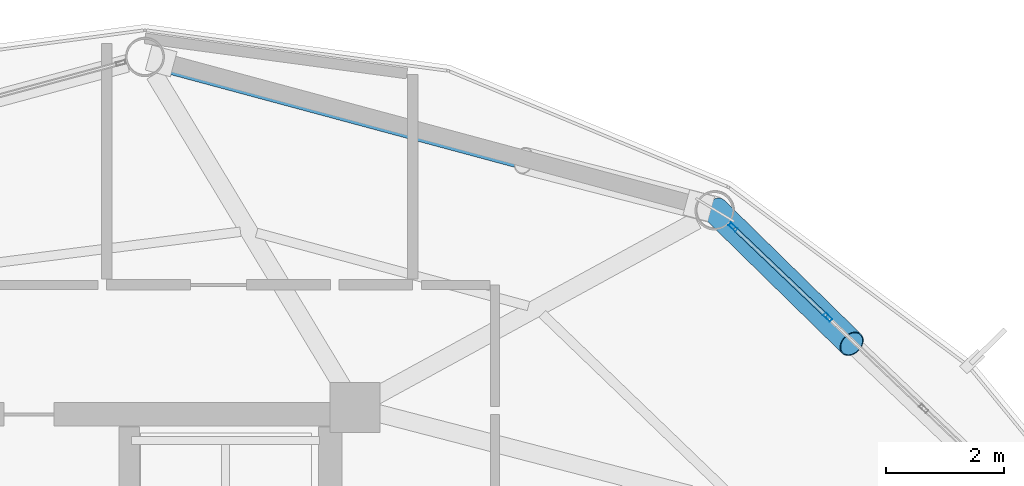
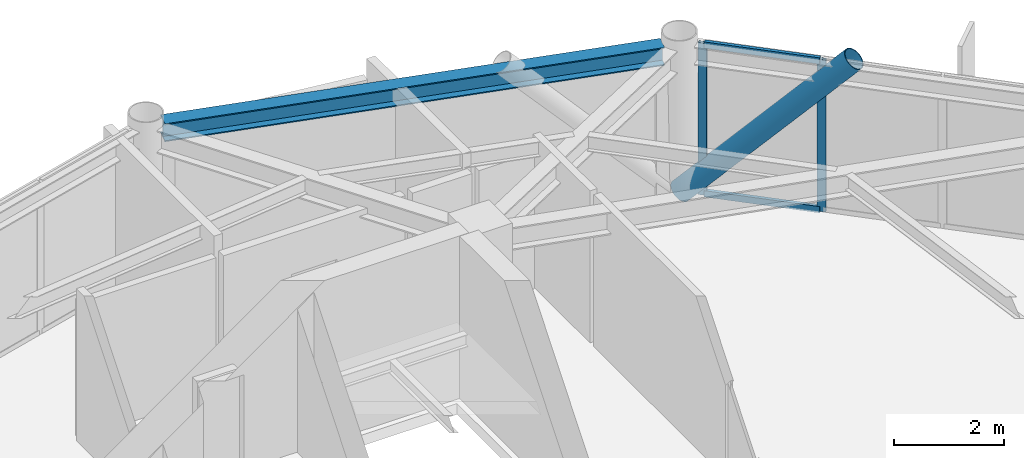
# One storey, part 21 of 28: 5 members, 1 beam, 1 element without a shape of its own.
"""IFC4 building model written with IfcOpenShell, lengths in metres."""

from ifc_helpers import new_model, si_unit, direction, frame, origin, origin_2d, place, context, subcontext, project, spatial, hollow_rectangle, hollow_circle, i_section, extrude, material, layer, layer_set, material_profile, profile_set, type_object, element, aggregate, save


model = new_model("IFC4")

# Units and contexts
model_context = context("Model", 3, precision=1e-05, world=origin(), true_north=direction((0.0, 1.0)))
body_context = subcontext(model_context, "Body", "Model", "MODEL_VIEW")
ifc_project = project(units=[si_unit("LENGTHUNIT", "METRE"), si_unit("AREAUNIT", "SQUARE_METRE"), si_unit("VOLUMEUNIT", "CUBIC_METRE"), si_unit("PLANEANGLEUNIT", "RADIAN"), si_unit("MASSUNIT", "GRAM", prefix="KILO")], contexts=[model_context])

# Site, building, storey
site_placement = place(None, origin())
site = spatial("IfcSite", under=ifc_project, at=site_placement, CompositionType="ELEMENT")
building_placement = place(site_placement, origin())
building = spatial("IfcBuilding", under=site, at=building_placement, Name="Varnakorn Sky Granary", CompositionType="ELEMENT")
storey_placement = place(building_placement, frame((0.0, 0.0, 193.199951171875)))
storey = spatial("IfcBuildingStorey", under=building, at=storey_placement, Name="L48", CompositionType="ELEMENT", Elevation=193.199951171875)

# Beam
ifc_material_1 = material(Name="Steel S355JR", Category="steel")
ifc_material_profile_1 = material_profile(ifc_material_1, i_section(OverallWidth=0.300048828125, OverallDepth=0.39990234375, WebThickness=0.013427734375, FlangeThickness=0.02392578125, at=origin_2d()), Name="HE 400 B")
ifc_profile_set_1 = profile_set([ifc_material_profile_1], Name="Steel S355JR")
beam_type = type_object("IfcBeamType", Name="BM-SPD-Z4", PredefinedType="SPANDREL", material=ifc_profile_set_1)
beam_placement = place(storey_placement, frame((14.200439453125, 16.02734375, 3.16015625), z_axis=(-0.965557364006, 0.260190270405, 0.0), x_axis=(-0.260190270405, -0.965557364006, 0.0)))
element("IfcBeam", 1, at=beam_placement, inside=storey, type_object=beam_type, Name="Perimeter Spandrel Ring Beam RB03 L48", PredefinedType="SPANDREL", context=body_context, shape_type="SweptSolid", body=[
    extrude(i_section(OverallWidth=0.300048828125, OverallDepth=0.39990234375, WebThickness=0.013427734375, FlangeThickness=0.02392578125, at=origin_2d()), origin(), (0.0, 0.0, 1.0), 9.369140625),
])

# Curtain wall, members
ifc_material_2 = material(Name="Anodised Bronze Aluminium Alloy 6063-T6", Category="aluminium")
ifc_layer = layer(ifc_material_2, 0.169921875, Name="Anodised Bronze Aluminium Alloy 6063-T6")
ifc_layer_set = layer_set([ifc_layer], Name="Anodised Bronze Aluminium Alloy 6063-T6")
curtain_wall_type = type_object("IfcCurtainWallType", Name="CW-LAB-1", PredefinedType="USERDEFINED", material=ifc_layer_set)
curtain_wall_placement = place(storey_placement, origin())
curtain_wall = element("IfcCurtainWall", 2, at=curtain_wall_placement, inside=storey, type_object=curtain_wall_type, Name="Unitised Curtain Wall CW5 CW-L48-B02", ObjectType="CURTAIN WALL", PredefinedType="USERDEFINED")
ifc_material_profile_2 = material_profile(ifc_material_2, hollow_rectangle(XDim=0.06494140625, YDim=0.159912109375, WallThickness=0.00341796875, at=origin_2d()), Name="ALU MULL 65x160")
ifc_profile_set_2 = profile_set([ifc_material_profile_2], Name="Anodised Bronze Aluminium Alloy 6063-T6")
member_type_1 = type_object("IfcMemberType", Name="CW-LAB-1-MULL", PredefinedType="MULLION", material=ifc_profile_set_2)
member_1_placement = place(storey_placement, frame((14.843994140625, 15.683349609375, 0.0), z_axis=(0.0, 0.0, 1.0), x_axis=(0.689516343161, 0.724270123996, 0.0)))
member_1 = element("IfcMember", 3, at=member_1_placement, type_object=member_type_1, Name="CW5 mullion 1", PredefinedType="MULLION", context=body_context, shape_type="SweptSolid", body=[
    extrude(hollow_rectangle(XDim=0.06494140625, YDim=0.159912109375, WallThickness=0.00341796875, at=origin_2d()), origin(), (0.0, 0.0, 1.0), 3.360107421875),
])
member_2_placement = place(storey_placement, frame((16.452392578125, 14.15234375, 0.0), z_axis=(0.0, 0.0, 1.0), x_axis=(0.689516343161, 0.724270123996, 0.0)))
member_2 = element("IfcMember", 4, at=member_2_placement, type_object=member_type_1, Name="CW5 mullion 2", PredefinedType="MULLION", context=body_context, shape_type="SweptSolid", body=[
    extrude(hollow_rectangle(XDim=0.06494140625, YDim=0.159912109375, WallThickness=0.00341796875, at=origin_2d()), origin(), (0.0, 0.0, 1.0), 3.360107421875),
])
ifc_material_profile_3 = material_profile(ifc_material_2, hollow_rectangle(XDim=0.070068359375, YDim=0.139892578125, WallThickness=0.00341796875, at=origin_2d()), Name="ALU TRAN 70x140")
ifc_profile_set_3 = profile_set([ifc_material_profile_3], Name="Anodised Bronze Aluminium Alloy 6063-T6")
member_type_2 = type_object("IfcMemberType", Name="CW-LAB-1-TRAN", PredefinedType="USERDEFINED", material=ifc_profile_set_3)
member_3_placement = place(storey_placement, frame((14.86767578125, 15.660888671875, 0.03515625), z_axis=(0.724280687879, -0.689505246656, 0.0), x_axis=(0.689505246656, 0.724280687879, 0.0)))
member_3 = element("IfcMember", 5, at=member_3_placement, type_object=member_type_2, Name="CW5 transom 1.1", ObjectType="TRANSOM", PredefinedType="USERDEFINED", context=body_context, shape_type="SweptSolid", body=[
    extrude(hollow_rectangle(XDim=0.070068359375, YDim=0.139892578125, WallThickness=0.00341796875, at=origin_2d()), origin(), (0.0, 0.0, 1.0), 2.1552734375),
])
member_4_placement = place(storey_placement, frame((14.86767578125, 15.660888671875, 3.324951171875), z_axis=(0.724280687879, -0.689505246656, 0.0), x_axis=(0.689505246656, 0.724280687879, 0.0)))
member_4 = element("IfcMember", 6, at=member_4_placement, type_object=member_type_2, Name="CW5 transom 1.2", ObjectType="TRANSOM", PredefinedType="USERDEFINED", context=body_context, shape_type="SweptSolid", body=[
    extrude(hollow_rectangle(XDim=0.070068359375, YDim=0.139892578125, WallThickness=0.00341796875, at=origin_2d()), origin(), (0.0, 0.0, 1.0), 2.1552734375),
])
aggregate(curtain_wall, [member_1, member_2, member_3, member_4])

# Member
ifc_material_3 = material(Name="Steel S460M", Category="steel")
ifc_material_profile_4 = material_profile(ifc_material_3, hollow_circle(Radius=0.228515625, WallThickness=0.01611328125, at=origin_2d()), Name="CHS 457x16")
ifc_profile_set_4 = profile_set([ifc_material_profile_4], Name="Steel S460M")
member_type_3 = type_object("IfcMemberType", Name="MB-DIAG-T3", PredefinedType="BRACE", material=ifc_profile_set_4)
member_5_placement = place(storey_placement, frame((14.5380859375, 15.974609375, 0.0), z_axis=(0.486863513428, -0.477087343215, 0.731677241847), x_axis=(0.699899471788, 0.714241366339, 0.0)))
element("IfcMember", 7, at=member_5_placement, inside=storey, type_object=member_type_3, Name="Perimeter CHS Diagrid Brace DG02 L48", PredefinedType="BRACE", context=body_context, shape_type="SweptSolid", body=[
    extrude(hollow_circle(Radius=0.228515625, WallThickness=0.01611328125, at=origin_2d()), origin(), (0.0, 0.0, 1.0), 4.769775390625),
])

save(model, "model.ifc")
